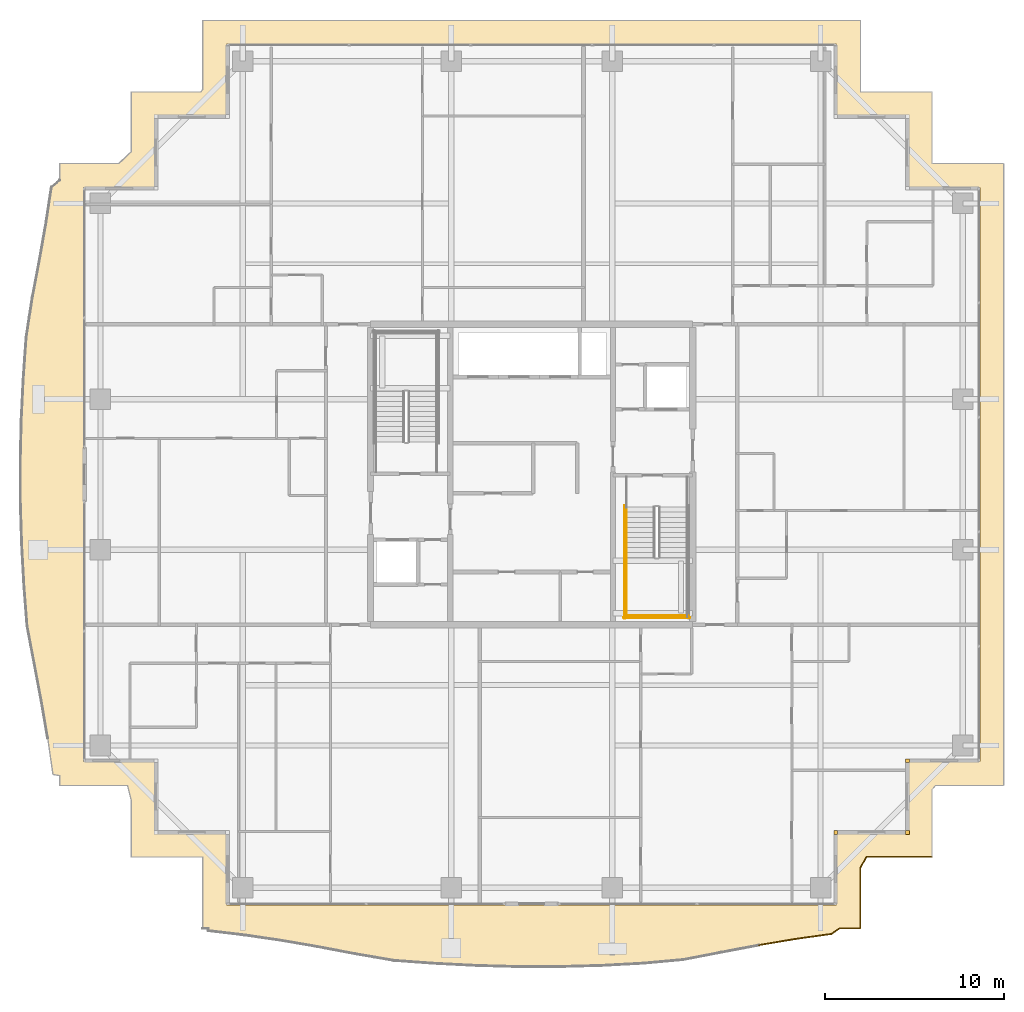
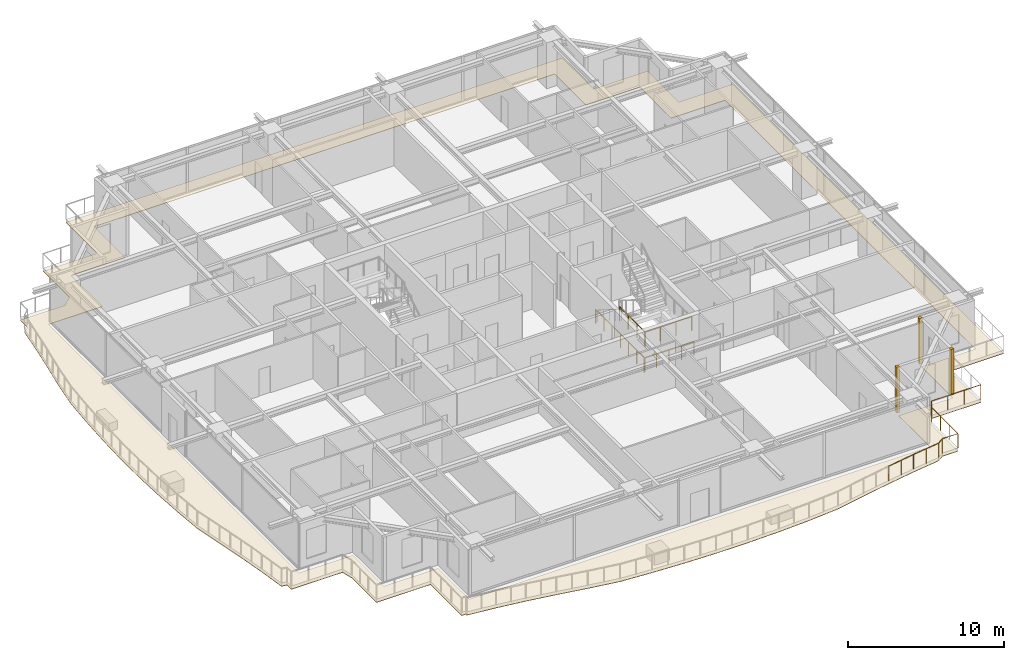
# One storey, part 33 of 35: 6 railings, 4 coverings.
"""IFC4 building model written with IfcOpenShell, lengths in metres."""

from ifc_helpers import new_model, si_unit, direction, frame, origin, origin_2d, place, context, subcontext, project, spatial, polyline, rectangle, circle, outline, extrude, source, transform, mapped, material, layer, layer_set, type_object, element, save


model = new_model("IFC4")

# Units and contexts
model_context = context("Model", 3, precision=1e-05, world=origin(), true_north=direction((0.0, 1.0)))
body_context = subcontext(model_context, "Body", "Model", "MODEL_VIEW")
ifc_project = project(units=[si_unit("LENGTHUNIT", "METRE"), si_unit("AREAUNIT", "SQUARE_METRE"), si_unit("VOLUMEUNIT", "CUBIC_METRE"), si_unit("PLANEANGLEUNIT", "RADIAN"), si_unit("MASSUNIT", "GRAM", prefix="KILO")], contexts=[model_context])

# Site, building, storey
site_placement = place(None, origin())
site = spatial("IfcSite", under=ifc_project, at=site_placement, CompositionType="ELEMENT")
building_placement = place(site_placement, origin())
building = spatial("IfcBuilding", under=site, at=building_placement, Name="Serunith Strait Residences", CompositionType="ELEMENT")
storey_placement = place(building_placement, frame((0.0, 0.0, 214.300048828125)))
storey = spatial("IfcBuildingStorey", under=building, at=storey_placement, Name="L53", CompositionType="ELEMENT", Elevation=214.300048828125)

# Covering
ifc_material_1 = material(Name="Golden Teak Exterior Timber Boarding", Category="wood")
ifc_layer_1 = layer(ifc_material_1, 0.034912109375, Name="Golden Teak Exterior Timber Boarding")
ifc_layer_set_1 = layer_set([ifc_layer_1], Name="Golden Teak Exterior Timber Boarding")
covering_type_1 = type_object("IfcCoveringType", Name="COV-TEAK-SOFFIT", PredefinedType="CEILING", material=ifc_layer_set_1)
covering_placement = place(storey_placement, frame((0.0, 0.0, -0.324951171875)))
element("IfcCovering", 1, at=covering_placement, inside=storey, type_object=covering_type_1, Name="L53 Golden-Teak Balcony Soffit Lining", PredefinedType="CEILING", context=body_context, shape_type="SweptSolid", body=[
    extrude(outline(polyline([(14.02001953125, -0.179931640625), (14.02001953125, 3.820068359375), (10.02001953125, 3.820068359375), (10.02001953125, 6.98828125), (9.8154296875, 7.820068359375), (6.02001953125, 7.820068359375), (6.02001953125, 8.3701171875), (5.64404296875, 8.432861328125), (5.3525390625, 10.458984375), (5.005615234375, 12.507080078125), (4.614013671875, 14.594970703125), (4.2041015625, 16.7412109375), (4.030029296875, 19.005859375), (3.904541015625, 21.3056640625), (3.83447265625, 23.62890625), (3.826904296875, 25.9619140625), (3.88232421875, 28.289306640625), (3.9951171875, 30.596923828125), (4.154296875, 32.873291015625), (4.49072265625, 35.061279296875), (4.89111328125, 37.16650390625), (5.253173828125, 39.225830078125), (5.561767578125, 41.25830078125), (6.02001953125, 41.644287109375), (6.02001953125, 42.580078125), (9.319580078125, 42.580078125), (10.02001953125, 43.233154296875), (10.02001953125, 46.580078125), (13.9189453125, 46.580078125), (14.02001953125, 46.734619140625), (14.02001953125, 50.580078125), (50.780029296875, 50.580078125), (50.780029296875, 46.580078125), (54.780029296875, 46.580078125), (54.780029296875, 42.580078125), (58.780029296875, 42.580078125), (58.780029296875, 7.820068359375), (54.97509765625, 7.820068359375), (54.780029296875, 7.597900390625), (54.780029296875, 3.820068359375), (51.12060546875, 3.820068359375), (50.780029296875, 3.201416015625), (50.780029296875, -0.179931640625), (49.6103515625, -0.179931640625), (49.1689453125, -0.488525390625), (47.14501953125, -0.77294921875), (45.101318359375, -1.1162109375), (43.018310546875, -1.508056640625), (40.8759765625, -1.9228515625), (38.615234375, -2.12841796875), (36.307861328125, -2.25), (33.976318359375, -2.314208984375), (31.6357421875, -2.314697265625), (29.302001953125, -2.252197265625), (26.990234375, -2.133544921875), (24.711181640625, -1.97021484375), (22.537109375, -1.596923828125), (20.438232421875, -1.1982421875), (18.38330078125, -0.84375), (16.353271484375, -0.54638671875), (14.33251953125, -0.306884765625), (14.33349609375, -0.179931640625), (14.02001953125, -0.179931640625)]), holes=[polyline([(49.455078125, 1.14501953125), (49.455078125, 5.14501953125), (53.455078125, 5.14501953125), (53.455078125, 9.14501953125), (57.455078125, 9.14501953125), (57.455078125, 41.2548828125), (53.455078125, 41.2548828125), (53.455078125, 45.2548828125), (49.455078125, 45.2548828125), (49.455078125, 49.2548828125), (15.344970703125, 49.2548828125), (15.344970703125, 45.2548828125), (11.344970703125, 45.2548828125), (11.344970703125, 41.2548828125), (7.344970703125, 41.2548828125), (7.344970703125, 9.14501953125), (11.344970703125, 9.14501953125), (11.344970703125, 5.14501953125), (15.344970703125, 5.14501953125), (15.344970703125, 1.14501953125), (49.455078125, 1.14501953125)])]), origin(), (0.0, 0.0, 1.0), 0.034912109375),
])

# Railings
ifc_material_2 = material(Name="Stainless Steel & Laminated Glass Balustrade", Category="steel")
railing_type_1 = type_object("IfcRailingType", Name="RLG-BALC-1150", PredefinedType="BALUSTRADE", material=ifc_material_2)
railing_1_placement = place(storey_placement, frame((54.780029296875, 3.820068359375, -0.050048828125)))
element("IfcRailing", 2, at=railing_1_placement, inside=storey, type_object=railing_type_1, Name="L53 Swirling Balcony Perimeter Balustrade 6", PredefinedType="BALUSTRADE", context=body_context, shape_type="SweptSolid", body=[
    extrude(circle(Radius=0.02392578125, at=origin_2d()), frame((-0.001953125, 0.0, 1.1259765625), z_axis=(-1.0, 0.0, 0.0), x_axis=(0.0, -1.0, 0.0)), (0.0, 0.0, 1.0), 3.655517578125),
    extrude(circle(Radius=0.02392578125, at=origin_2d()), frame((-3.660400390625, -0.001708984375, 1.1259765625), z_axis=(-0.482263757645, -0.876026065858, 0.0), x_axis=(0.876026065858, -0.482263757645, 0.0)), (0.0, 0.0, 1.0), 0.7021484375),
    extrude(circle(Radius=0.02392578125, at=origin_2d()), frame((-4.0, -0.62060546875, 1.1259765625), z_axis=(0.0, -1.0, 0.0), x_axis=(1.0, 0.0, 0.0)), (0.0, 0.0, 1.0), 3.37744140625),
    extrude(circle(Radius=0.02392578125, at=origin_2d()), frame((-4.001953125, -4.0, 1.1259765625), z_axis=(-1.0, 0.0, 0.0), x_axis=(0.0, -1.0, 0.0)), (0.0, 0.0, 1.0), 1.165771484375),
    extrude(circle(Radius=0.02392578125, at=origin_2d()), frame((-5.17138671875, -4.001220703125, 1.1259765625), z_axis=(-0.819572514018, -0.572975474402, 0.0), x_axis=(0.572975474402, -0.819572514018, 0.0)), (0.0, 0.0, 1.0), 0.53466796875),
    extrude(circle(Radius=0.02392578125, at=origin_2d()), frame((-5.613037109375, -4.308837890625, 1.1259765625), z_axis=(-0.990269443671, -0.139163317476, 0.0), x_axis=(0.139163317476, -0.990269443671, 0.0)), (0.0, 0.0, 1.0), 2.039794921875),
    extrude(circle(Radius=0.02392578125, at=origin_2d()), frame((-7.636962890625, -4.59326171875, 1.1259765625), z_axis=(-0.986186178955, -0.165640636437, 0.0), x_axis=(0.165640636437, -0.986186178955, 0.0)), (0.0, 0.0, 1.0), 2.068359375),
    extrude(circle(Radius=0.02099609375, at=origin_2d()), origin(), (0.0, 0.0, 1.0), 1.099853515625),
    extrude(circle(Radius=0.02099609375, at=origin_2d()), frame((-1.2197265625, 0.0, 0.0)), (0.0, 0.0, 1.0), 1.099853515625),
    extrude(circle(Radius=0.02099609375, at=origin_2d()), frame((-2.439697265625, 0.0, 0.0)), (0.0, 0.0, 1.0), 1.099853515625),
    extrude(circle(Radius=0.02099609375, at=origin_2d()), frame((-3.659423828125, 0.0, 0.0)), (0.0, 0.0, 1.0), 1.099853515625),
    extrude(circle(Radius=0.02099609375, at=origin_2d()), frame((-4.0, -0.61865234375, 0.0)), (0.0, 0.0, 1.0), 1.099853515625),
    extrude(circle(Radius=0.02099609375, at=origin_2d()), frame((-4.0, -1.745849609375, 0.0)), (0.0, 0.0, 1.0), 1.099853515625),
    extrude(circle(Radius=0.02099609375, at=origin_2d()), frame((-4.0, -2.872802734375, 0.0)), (0.0, 0.0, 1.0), 1.099853515625),
    extrude(circle(Radius=0.02099609375, at=origin_2d()), frame((-4.0, -4.0, 0.0)), (0.0, 0.0, 1.0), 1.099853515625),
    extrude(circle(Radius=0.02099609375, at=origin_2d()), frame((-5.169677734375, -4.0, 0.0)), (0.0, 0.0, 1.0), 1.099853515625),
    extrude(circle(Radius=0.02099609375, at=origin_2d()), frame((-5.611083984375, -4.30859375, 0.0)), (0.0, 0.0, 1.0), 1.099853515625),
    extrude(circle(Radius=0.02099609375, at=origin_2d()), frame((-6.623046875, -4.45068359375, 0.0)), (0.0, 0.0, 1.0), 1.099853515625),
    extrude(circle(Radius=0.02099609375, at=origin_2d()), frame((-7.635009765625, -4.593017578125, 0.0)), (0.0, 0.0, 1.0), 1.099853515625),
    extrude(circle(Radius=0.02099609375, at=origin_2d()), frame((-8.65673828125, -4.7646484375, 0.0)), (0.0, 0.0, 1.0), 1.099853515625),
    extrude(circle(Radius=0.02099609375, at=origin_2d()), frame((-9.6787109375, -4.936279296875, 0.0)), (0.0, 0.0, 1.0), 1.099853515625),
])
ifc_material_3 = material(Name="Brushed stainless steel 316L", Category="steel")
railing_type_2 = type_object("IfcRailingType", Name="RLG-STAIR-GUARD", PredefinedType="BALUSTRADE", material=ifc_material_3)
railing_2_placement = place(storey_placement, frame((37.699951171875, 20.570068359375, 1.925048828125)))
element("IfcRailing", 3, at=railing_2_placement, inside=storey, type_object=railing_type_2, Name="L53 ST-2 stair guard 3", PredefinedType="BALUSTRADE", context=body_context, shape_type="SweptSolid", body=[
    extrude(circle(Radius=0.02392578125, at=origin_2d()), frame((0.0, -0.001953125, 1.076171875), z_axis=(0.0, -1.0, 0.0), x_axis=(1.0, 0.0, 0.0)), (0.0, 0.0, 1.0), 3.316162109375),
    extrude(circle(Radius=0.02099609375, at=origin_2d()), origin(), (0.0, 0.0, 1.0), 1.050048828125),
    extrude(circle(Radius=0.02099609375, at=origin_2d()), frame((0.0, -1.106689453125, 0.0)), (0.0, 0.0, 1.0), 1.050048828125),
    extrude(circle(Radius=0.02099609375, at=origin_2d()), frame((0.0, -2.21337890625, 0.0)), (0.0, 0.0, 1.0), 1.050048828125),
    extrude(circle(Radius=0.02099609375, at=origin_2d()), frame((0.0, -3.320068359375, 0.0)), (0.0, 0.0, 1.0), 1.050048828125),
])
railing_3_placement = place(storey_placement, frame((37.64990234375, 17.300048828125, 1.925048828125)))
element("IfcRailing", 4, at=railing_3_placement, inside=storey, type_object=railing_type_2, Name="L53 ST-2 stair guard 5", PredefinedType="BALUSTRADE", context=body_context, shape_type="SweptSolid", body=[
    extrude(circle(Radius=0.02392578125, at=origin_2d()), frame((0.001953125, 0.0, 1.076171875), z_axis=(1.0, 0.0, 0.0), x_axis=(0.0, 1.0, 0.0)), (0.0, 0.0, 1.0), 3.49609375),
    extrude(circle(Radius=0.02099609375, at=origin_2d()), origin(), (0.0, 0.0, 1.0), 1.050048828125),
    extrude(circle(Radius=0.02099609375, at=origin_2d()), frame((1.166748046875, 0.0, 0.0)), (0.0, 0.0, 1.0), 1.050048828125),
    extrude(circle(Radius=0.02099609375, at=origin_2d()), frame((2.333251953125, 0.0, 0.0)), (0.0, 0.0, 1.0), 1.050048828125),
    extrude(circle(Radius=0.02099609375, at=origin_2d()), frame((3.5, 0.0, 0.0)), (0.0, 0.0, 1.0), 1.050048828125),
])
railing_4_placement = place(storey_placement, frame((37.60009765625, 23.469970703125, 0.0)))
element("IfcRailing", 5, at=railing_4_placement, inside=storey, type_object=railing_type_2, Name="L53 ST-2 stair guard 10", PredefinedType="BALUSTRADE", context=body_context, shape_type="SweptSolid", body=[
    extrude(circle(Radius=0.02392578125, at=origin_2d()), frame((0.0, -0.001953125, 1.076171875), z_axis=(0.0, -1.0, 0.0), x_axis=(1.0, 0.0, 0.0)), (0.0, 0.0, 1.0), 6.316162109375),
    extrude(circle(Radius=0.02099609375, at=origin_2d()), origin(), (0.0, 0.0, 1.0), 1.050048828125),
    extrude(circle(Radius=0.02099609375, at=origin_2d()), frame((0.0, -1.05322265625, 0.0)), (0.0, 0.0, 1.0), 1.050048828125),
    extrude(circle(Radius=0.02099609375, at=origin_2d()), frame((0.0, -2.106689453125, 0.0)), (0.0, 0.0, 1.0), 1.050048828125),
    extrude(circle(Radius=0.02099609375, at=origin_2d()), frame((0.0, -3.16015625, 0.0)), (0.0, 0.0, 1.0), 1.050048828125),
    extrude(circle(Radius=0.02099609375, at=origin_2d()), frame((0.0, -4.21337890625, 0.0)), (0.0, 0.0, 1.0), 1.050048828125),
    extrude(circle(Radius=0.02099609375, at=origin_2d()), frame((0.0, -5.2666015625, 0.0)), (0.0, 0.0, 1.0), 1.050048828125),
    extrude(circle(Radius=0.02099609375, at=origin_2d()), frame((0.0, -6.320068359375, 0.0)), (0.0, 0.0, 1.0), 1.050048828125),
])
railing_5_placement = place(storey_placement, frame((37.550048828125, 17.199951171875, 0.0)))
element("IfcRailing", 6, at=railing_5_placement, inside=storey, type_object=railing_type_2, Name="L53 ST-2 stair guard 12", PredefinedType="BALUSTRADE", context=body_context, shape_type="SweptSolid", body=[
    extrude(circle(Radius=0.02392578125, at=origin_2d()), frame((0.001953125, 0.0, 1.076171875), z_axis=(1.0, 0.0, 0.0), x_axis=(0.0, 1.0, 0.0)), (0.0, 0.0, 1.0), 3.696044921875),
    extrude(circle(Radius=0.02099609375, at=origin_2d()), origin(), (0.0, 0.0, 1.0), 1.050048828125),
    extrude(circle(Radius=0.02099609375, at=origin_2d()), frame((0.925048828125, 0.0, 0.0)), (0.0, 0.0, 1.0), 1.050048828125),
    extrude(circle(Radius=0.02099609375, at=origin_2d()), frame((1.85009765625, 0.0, 0.0)), (0.0, 0.0, 1.0), 1.050048828125),
    extrude(circle(Radius=0.02099609375, at=origin_2d()), frame((2.77490234375, 0.0, 0.0)), (0.0, 0.0, 1.0), 1.050048828125),
    extrude(circle(Radius=0.02099609375, at=origin_2d()), frame((3.699951171875, 0.0, 0.0)), (0.0, 0.0, 1.0), 1.050048828125),
])
railing_type_3 = type_object("IfcRailingType", Name="RLG-STAIR-HR", PredefinedType="HANDRAIL", material=ifc_material_3)
railing_6_placement = place(storey_placement, frame((37.699951171875, 23.3701171875, 0.175048828125)))
element("IfcRailing", 7, at=railing_6_placement, inside=storey, type_object=railing_type_3, Name="L53 ST-2 stair handrail 1", PredefinedType="HANDRAIL", context=body_context, shape_type="SweptSolid", body=[
    extrude(circle(Radius=0.02392578125, at=origin_2d()), frame((0.0, -0.001708984375, 0.876953125), z_axis=(0.0, -0.847393994688, 0.530964610654), x_axis=(1.0, 0.0, 0.0)), (0.0, 0.0, 1.0), 3.630859375),
    extrude(circle(Radius=0.02099609375, at=origin_2d()), origin(), (0.0, 0.0, 1.0), 0.849853515625),
    extrude(circle(Radius=0.02099609375, at=origin_2d()), frame((0.0, -0.77001953125, 0.482421875)), (0.0, 0.0, 1.0), 0.849853515625),
    extrude(circle(Radius=0.02099609375, at=origin_2d()), frame((0.0, -1.5400390625, 0.96484375)), (0.0, 0.0, 1.0), 0.849853515625),
    extrude(circle(Radius=0.02099609375, at=origin_2d()), frame((0.0, -2.31005859375, 1.447509765625)), (0.0, 0.0, 1.0), 0.849853515625),
    extrude(circle(Radius=0.02099609375, at=origin_2d()), frame((0.0, -3.080078125, 1.929931640625)), (0.0, 0.0, 1.0), 0.849853515625),
])

# Coverings
ifc_material_4 = material(Name="Pale-Champagne Anodised Aluminium", Category="aluminium")
ifc_layer_2 = layer(ifc_material_4, 0.219970703125, Name="Pale-Champagne Anodised Aluminium")
ifc_layer_set_2 = layer_set([ifc_layer_2], Name="Pale-Champagne Anodised Aluminium")
covering_type_2 = type_object("IfcCoveringType", Name="COV-CORN-TRIM", PredefinedType="CLADDING", material=ifc_layer_set_2)
shared_shape = source(origin(), body_context, "Body", "SweptSolid", [
    extrude(rectangle(XDim=0.221923828125, YDim=0.221923828125, at=origin_2d()), origin(), (0.0, 0.0, 1.0), 3.574951171875),
])
for number, where, z_axis, x_axis, name in (
    (8, (49.39990234375, 5.199951171875, 0.0), (0.0, 0.0, 1.0), (1.0, 0.0, 0.0), "L53 Girih Serrated Corner Trim Post 02"),
    (9, (53.39990234375, 5.199951171875, 0.0), (0.0, 0.0, 1.0), (1.0, 0.0, 0.0), "L53 Girih Serrated Corner Trim Post 03"),
    (10, (53.39990234375, 9.199951171875, 0.0), (0.0, 0.0, 1.0), (1.0, 0.0, 0.0), "L53 Girih Serrated Corner Trim Post 04"),
):
    element("IfcCovering", number, at=place(storey_placement, frame(where, z_axis=z_axis, x_axis=x_axis)), inside=storey, type_object=covering_type_2, Name=name, PredefinedType="CLADDING", context=body_context, shape_type="MappedRepresentation", body=[
        mapped(shared_shape, transform((0.0, 0.0, 0.0), scale=1.0)),
    ])

save(model, "model.ifc")
